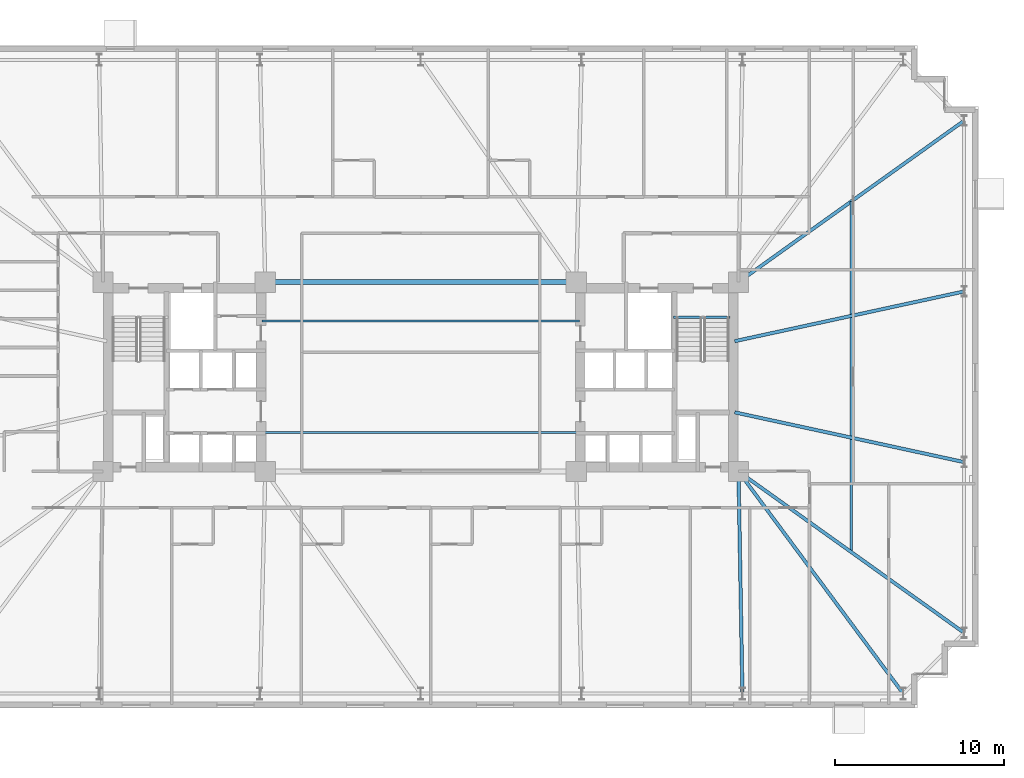
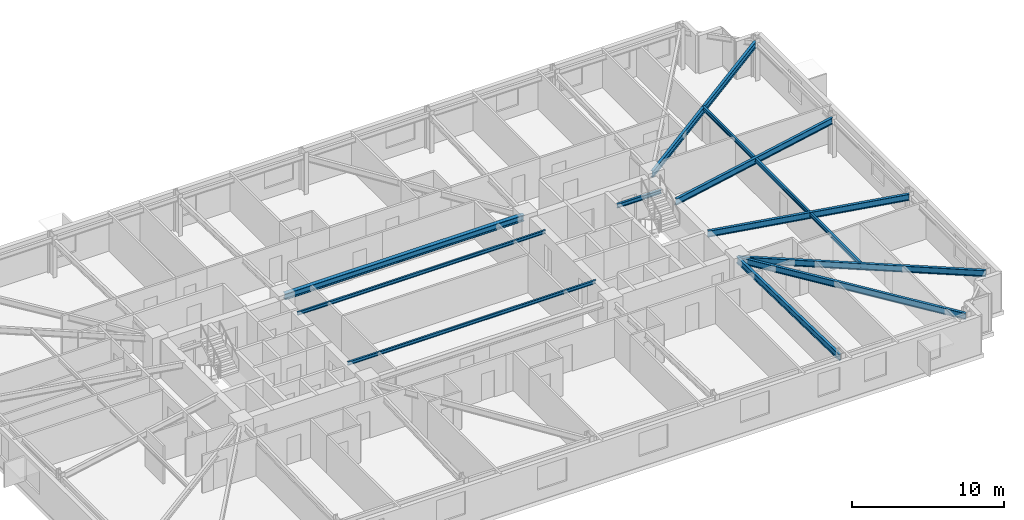
# One storey, part 7 of 21: 11 beams.
"""IFC4 building model written with IfcOpenShell, lengths in metres."""

import ifcopenshell
import ifcopenshell.guid

model = None  # the IFC model being written
_history = None  # IfcOwnerHistory: only IFC2X3 demands one
_inside = {}  # id of a spatial element -> (the spatial element, [elements in it])
_under = {}  # id of a project, library or spatial element -> (it, [spatial elements below it])
_declared = {}  # id of a project -> (the project, [libraries it declares])
_typed = {}  # id of a type object -> (the type object, [elements of that type])
_made_of = {}  # id of a material, layer set ... -> (it, [elements and type objects made of it])


def new_model(schema):
    """Start an empty IFC model of exactly this schema.

    Asked for "IFC4X3", IfcOpenShell would pick the latest addendum, in which some entities
    have other attributes; the version numbers below select the first issue.
    IFC2X3 requires an IfcOwnerHistory on every rooted entity: one is made here for all.
    """
    global model, _history
    if schema == "IFC4X3":
        model = ifcopenshell.file(schema_version=(4, 3, 0, 0))
    else:
        model = ifcopenshell.file(schema=schema)
    _inside.clear()
    _under.clear()
    _declared.clear()
    _typed.clear()
    _made_of.clear()
    _history = None
    if model.schema == "IFC2X3":
        org = make("IfcOrganization", Name="unknown")
        user = make(
            "IfcPersonAndOrganization",
            ThePerson=make("IfcPerson", FamilyName="unknown"),
            TheOrganization=org,
        )
        app = make(
            "IfcApplication",
            ApplicationDeveloper=org,
            Version="unknown",
            ApplicationFullName="unknown",
            ApplicationIdentifier="unknown",
        )
        _history = make(
            "IfcOwnerHistory",
            OwningUser=user,
            OwningApplication=app,
            ChangeAction="ADDED",
            CreationDate=0,
        )
    return model


def make(cls, **values):
    """One entity of the class cls with the attributes given. An attribute that is None is left unset."""
    return model.create_entity(
        cls, **{name: value for name, value in values.items() if value is not None}
    )


def rooted(cls, **values):
    """An entity with a GlobalId (a new one), such as an element, a storey or a relation."""
    return make(cls, GlobalId=ifcopenshell.guid.new(), OwnerHistory=_history, **values)


def si_unit(unit_type, name, prefix=None):
    """IfcSIUnit, for example si_unit("LENGTHUNIT", "METRE", prefix="MILLI")."""
    return make("IfcSIUnit", UnitType=unit_type, Prefix=prefix, Name=name)


def assignment(units):
    """IfcUnitAssignment: the units of a project."""
    return None if units is None else make("IfcUnitAssignment", Units=units)


def point(xyz):
    """IfcCartesianPoint."""
    return None if xyz is None else make("IfcCartesianPoint", Coordinates=xyz)


def direction(xyz):
    """IfcDirection."""
    return None if xyz is None else make("IfcDirection", DirectionRatios=xyz)


def frame(location, z_axis=None, x_axis=None):
    """IfcAxis2Placement3D, a coordinate frame: its origin and axes. An axis left out is left unset."""
    return make(
        "IfcAxis2Placement3D",
        Location=point(location),
        Axis=direction(z_axis),
        RefDirection=direction(x_axis),
    )


def frame_2d(location, x_axis=None):
    """IfcAxis2Placement2D, a coordinate frame in the plane: its origin and x axis."""
    return make(
        "IfcAxis2Placement2D", Location=point(location), RefDirection=direction(x_axis)
    )


def origin():
    """The frame at (0, 0, 0) with its axes left unset."""
    return frame((0.0, 0.0, 0.0))


def origin_2d():
    """The frame at (0, 0) in the plane with its x axis left unset."""
    return frame_2d((0.0, 0.0))


def place(relative_to, where):
    """IfcLocalPlacement: puts the frame where relative to a parent placement (None: the world)."""
    return make(
        "IfcLocalPlacement", PlacementRelTo=relative_to, RelativePlacement=where
    )


def context(
    kind, dimensions, precision=None, world=None, true_north=None, identifier=None
):
    """IfcGeometricRepresentationContext, for example the 3D "Model" context."""
    return make(
        "IfcGeometricRepresentationContext",
        ContextIdentifier=identifier,
        ContextType=kind,
        CoordinateSpaceDimension=dimensions,
        Precision=precision,
        WorldCoordinateSystem=world,
        TrueNorth=true_north,
    )


def subcontext(parent, identifier, kind, view, scale=None):
    """IfcGeometricRepresentationSubContext, for example "Body" below "Model"."""
    return make(
        "IfcGeometricRepresentationSubContext",
        ContextIdentifier=identifier,
        ContextType=kind,
        ParentContext=parent,
        TargetScale=scale,
        TargetView=view,
    )


def project(units=None, contexts=None):
    """IfcProject with its units and contexts."""
    return rooted(
        "IfcProject",
        Name="project",
        RepresentationContexts=contexts,
        UnitsInContext=assignment(units),
    )


def spatial(cls, under=None, at=None, **own):
    """A site, building, storey or space (cls), placed at a placement, below another one or the project."""
    s = rooted(cls, ObjectPlacement=at, **own)
    if under is not None:
        _under.setdefault(under.id(), (under, []))[1].append(s)
    return s


def profile(cls, at=None, kind="AREA", **sizes):
    """A parametric profile (cls). Its sizes go by their IFC names, for example OverallWidth=200.0."""
    return make(cls, ProfileType=kind, Position=at, **sizes)


def i_section(**sizes):
    """IfcIShapeProfileDef."""
    return profile("IfcIShapeProfileDef", **sizes)


def extrude(swept, where, along, depth):
    """IfcExtrudedAreaSolid: the profile swept, set in the frame where, extruded along a direction by depth."""
    return make(
        "IfcExtrudedAreaSolid",
        SweptArea=swept,
        Position=where,
        ExtrudedDirection=direction(along),
        Depth=depth,
    )


def shape(context_of_items, identifier, shape_type, items):
    """IfcShapeRepresentation: the items that make up one representation, for example the "Body"."""
    return make(
        "IfcShapeRepresentation",
        ContextOfItems=context_of_items,
        RepresentationIdentifier=identifier,
        RepresentationType=shape_type,
        Items=items,
    )


def material(Name=None, Category=None):
    """IfcMaterial."""
    return make("IfcMaterial", Name=Name, Category=Category)


def material_profile(
    of_material, cross_section, Name=None, Category=None, Priority=None
):
    """IfcMaterialProfile: a cross section and its material."""
    return make(
        "IfcMaterialProfile",
        Name=Name,
        Material=of_material,
        Profile=cross_section,
        Priority=Priority,
        Category=Category,
    )


def profile_set(profiles, Name=None, composite=None):
    """IfcMaterialProfileSet."""
    return make(
        "IfcMaterialProfileSet",
        Name=Name,
        MaterialProfiles=profiles,
        CompositeProfile=composite,
    )


def made_of(thing, what):
    """Note that an element or type object is made of a material, layer set ...; save() writes the relation."""
    if what is not None:
        _made_of.setdefault(what.id(), (what, []))[1].append(thing)
    return thing


def type_object(cls, material=None, **own):
    """A type object (cls), such as IfcWallType, which elements share."""
    return made_of(rooted(cls, **own), material)


def element(
    cls,
    number,
    at=None,
    inside=None,
    cuts=None,
    type_object=None,
    material=None,
    context=None,
    identifier="Body",
    shape_type=None,
    held_by="IfcProductDefinitionShape",
    body=None,
    shapes=None,
    **own,
):
    """One element of the class cls, such as IfcWall. Its Tag is "e" and its number.

    at: its placement. inside: the storey or other place that contains it. cuts: it is an
    opening in that element (IfcRelVoidsElement). A single representation is given by context,
    identifier, shape_type and body (its items); several are given by shapes. held_by: the class
    of the entity that holds the representations. save() writes the other relations.
    """
    e = rooted(cls, Tag="e%d" % number, ObjectPlacement=at, **own)
    if body is not None:
        shapes = [shape(context, identifier, shape_type, body)]
    if shapes is not None:
        e.Representation = make(held_by, Representations=shapes)
    if inside is not None:
        _inside.setdefault(inside.id(), (inside, []))[1].append(e)
    if cuts is not None:
        rooted(
            "IfcRelVoidsElement", RelatingBuildingElement=cuts, RelatedOpeningElement=e
        )
    if type_object is not None:
        _typed.setdefault(type_object.id(), (type_object, []))[1].append(e)
    return made_of(e, material)


def aggregate(whole, parts):
    """IfcRelAggregates: a whole, such as a stair, and the parts it consists of."""
    return rooted("IfcRelAggregates", RelatingObject=whole, RelatedObjects=parts)


def save(model, path):
    """Write the relations noted so far, then the file.

    IfcRelAggregates (storeys below a building ...), IfcRelContainedInSpatialStructure (elements
    in a storey), IfcRelDefinesByType, IfcRelAssociatesMaterial and IfcRelDeclares: one each for
    every whole, place, type object, material and project.
    """
    for whole, parts in _under.values():
        aggregate(whole, parts)
    for where, things in _inside.values():
        rooted(
            "IfcRelContainedInSpatialStructure",
            RelatedElements=things,
            RelatingStructure=where,
        )
    for kind, things in _typed.values():
        rooted("IfcRelDefinesByType", RelatedObjects=things, RelatingType=kind)
    for what, things in _made_of.values():
        rooted("IfcRelAssociatesMaterial", RelatedObjects=things, RelatingMaterial=what)
    for by, libraries in _declared.values():
        rooted("IfcRelDeclares", RelatingContext=by, RelatedDefinitions=libraries)
    model.write(path)


model = new_model("IFC4")

# Units and contexts
model_context = context("Model", 3, precision=1e-05, world=origin(), true_north=direction((0.0, 1.0)))
body_context = subcontext(model_context, "Body", "Model", "MODEL_VIEW")
ifc_project = project(units=[si_unit("LENGTHUNIT", "METRE"), si_unit("AREAUNIT", "SQUARE_METRE"), si_unit("VOLUMEUNIT", "CUBIC_METRE"), si_unit("PLANEANGLEUNIT", "RADIAN"), si_unit("MASSUNIT", "GRAM", prefix="KILO")], contexts=[model_context])

# Site, building, storey
site_placement = place(None, origin())
site = spatial("IfcSite", under=ifc_project, at=site_placement, CompositionType="ELEMENT")
building_placement = place(site_placement, origin())
building = spatial("IfcBuilding", under=site, at=building_placement, Name="Qobustan Lattice House", CompositionType="ELEMENT")
storey_placement = place(building_placement, frame((0.0, 0.0, 40.39990234375)))
storey = spatial("IfcBuildingStorey", under=building, at=storey_placement, Name="L10", CompositionType="ELEMENT", Elevation=40.39990234375)

# Beams
ifc_material_1 = material(Name="Steel S355", Category="steel")
ifc_material_profile_1 = material_profile(ifc_material_1, i_section(OverallWidth=0.300048828125, OverallDepth=0.5, WebThickness=0.014404296875, FlangeThickness=0.028076171875, FilletRadius=0.027099609375, at=origin_2d()), Name="HEB500")
ifc_profile_set_1 = profile_set([ifc_material_profile_1], Name="Steel S355")
beam_type_1 = type_object("IfcBeamType", Name="BM-CG-HEB500", PredefinedType="USERDEFINED", material=ifc_profile_set_1)
beam_1_placement = place(storey_placement, frame((-9.050048828125, 5.60009765625, 2.78515625), z_axis=(1.0, 0.0, 0.0), x_axis=(0.0, 1.0, 0.0)))
element("IfcBeam", 1, at=beam_1_placement, inside=storey, type_object=beam_type_1, Name="L10 core spine girder CG-CN", ObjectType="GIRDER", PredefinedType="USERDEFINED", context=body_context, shape_type="SweptSolid", body=[
    extrude(i_section(OverallWidth=0.300048828125, OverallDepth=0.5, WebThickness=0.014404296875, FlangeThickness=0.028076171875, FilletRadius=0.027099609375, at=origin_2d()), origin(), (0.0, 0.0, 1.0), 18.10009765625),
])
ifc_material_2 = material(Name="Steel S355", Category="steel")
ifc_material_profile_2 = material_profile(ifc_material_2, i_section(OverallWidth=0.199951171875, OverallDepth=0.5, WebThickness=0.01025390625, FlangeThickness=0.01611328125, FilletRadius=0.02099609375, at=origin_2d()), Name="IPE500")
ifc_profile_set_2 = profile_set([ifc_material_profile_2], Name="Steel S355")
beam_type_2 = type_object("IfcBeamType", Name="BM-FLG-IPE500", PredefinedType="USERDEFINED", material=ifc_profile_set_2)
beam_2_placement = place(storey_placement, frame((19.032958984375, -18.72509765625, 2.78515625), z_axis=(-0.017757831607, 0.999842317276, 0.0), x_axis=(-0.999842317276, -0.017757831607, 0.0)))
element("IfcBeam", 2, at=beam_2_placement, inside=storey, type_object=beam_type_2, Name="L10 primary floor girder RAD-S6", ObjectType="GIRDER", PredefinedType="USERDEFINED", context=body_context, shape_type="SweptSolid", body=[
    extrude(i_section(OverallWidth=0.199951171875, OverallDepth=0.5, WebThickness=0.01025390625, FlangeThickness=0.01611328125, FilletRadius=0.02099609375, at=origin_2d()), origin(), (0.0, 0.0, 1.0), 13.10205078125),
])
beam_3_placement = place(storey_placement, frame((28.53515625, -18.72998046875, 2.78515625), z_axis=(-0.5955916815, 0.803287338956, 0.0), x_axis=(-0.803287338956, -0.5955916815, 0.0)))
element("IfcBeam", 3, at=beam_3_placement, inside=storey, type_object=beam_type_2, Name="L10 primary floor girder RAD-S7E", ObjectType="GIRDER", PredefinedType="USERDEFINED", context=body_context, shape_type="SweptSolid", body=[
    extrude(i_section(OverallWidth=0.199951171875, OverallDepth=0.5, WebThickness=0.01025390625, FlangeThickness=0.01611328125, FilletRadius=0.02099609375, at=origin_2d()), origin(), (0.0, 0.0, 1.0), 16.3203125),
])
beam_4_placement = place(storey_placement, frame((32.129638671875, 15.135498046875, 2.78515625), z_axis=(-0.813318954893, -0.581818079481, 0.0), x_axis=(0.581818079481, -0.813318954893, 0.0)))
element("IfcBeam", 4, at=beam_4_placement, inside=storey, type_object=beam_type_2, Name="L10 primary floor girder RAD-E4", ObjectType="GIRDER", PredefinedType="USERDEFINED", context=body_context, shape_type="SweptSolid", body=[
    extrude(i_section(OverallWidth=0.199951171875, OverallDepth=0.5, WebThickness=0.01025390625, FlangeThickness=0.01611328125, FilletRadius=0.02099609375, at=origin_2d()), origin(), (0.0, 0.0, 1.0), 16.3642578125),
])
for number, where, z_axis, x_axis, name in (
    (5, (32.12548828125, 5.044677734375, 2.78515625), (-0.97727240275, -0.211987383643, 0.0), (0.211987383643, -0.97727240275, 0.0), "L10 primary floor girder RAD-E3"),
    (6, (32.12548828125, -5.044677734375, 2.78515625), (-0.97727240275, 0.211987383643, 0.0), (-0.211987383643, -0.97727240275, 0.0), "L10 primary floor girder RAD-E2"),
):
    element("IfcBeam", number, at=place(storey_placement, frame(where, z_axis=z_axis, x_axis=x_axis)), inside=storey, type_object=beam_type_2, Name=name, ObjectType="GIRDER", PredefinedType="USERDEFINED", context=body_context, shape_type="SweptSolid", body=[
        extrude(i_section(OverallWidth=0.199951171875, OverallDepth=0.5, WebThickness=0.01025390625, FlangeThickness=0.01611328125, FilletRadius=0.02099609375, at=origin_2d()), origin(), (0.0, 0.0, 1.0), 13.8662109375),
    ])
beam_5_placement = place(storey_placement, frame((32.129638671875, -15.135498046875, 2.78515625), z_axis=(-0.813318954893, 0.581818079481, 0.0), x_axis=(-0.581818079481, -0.813318954893, 0.0)))
element("IfcBeam", 7, at=beam_5_placement, inside=storey, type_object=beam_type_2, Name="L10 primary floor girder RAD-E1", ObjectType="GIRDER", PredefinedType="USERDEFINED", context=body_context, shape_type="SweptSolid", body=[
    extrude(i_section(OverallWidth=0.199951171875, OverallDepth=0.5, WebThickness=0.01025390625, FlangeThickness=0.01611328125, FilletRadius=0.02099609375, at=origin_2d()), origin(), (0.0, 0.0, 1.0), 16.3642578125),
])
ifc_material_3 = material(Name="Steel S355", Category="steel")
ifc_material_profile_3 = material_profile(ifc_material_3, i_section(OverallWidth=0.135009765625, OverallDepth=0.27001953125, WebThickness=0.006591796875, FlangeThickness=0.01025390625, FilletRadius=0.014892578125, at=origin_2d()), Name="IPE270")
ifc_profile_set_3 = profile_set([ifc_material_profile_3], Name="Steel S355")
beam_type_3 = type_object("IfcBeamType", Name="BM-JST-IPE270", PredefinedType="JOIST", material=ifc_profile_set_3)
for number, where, z_axis, x_axis, name in (
    (8, (-9.39990234375, -3.300048828125, 2.900146484375), (1.0, 0.0, 0.0), (0.0, 1.0, 0.0), "L10 central span floor joist 1"),
    (9, (-9.39990234375, 3.300048828125, 2.900146484375), (1.0, 0.0, 0.0), (0.0, 1.0, 0.0), "L10 central span floor joist 2"),
):
    element("IfcBeam", number, at=place(storey_placement, frame(where, z_axis=z_axis, x_axis=x_axis)), inside=storey, type_object=beam_type_3, Name=name, PredefinedType="JOIST", context=body_context, shape_type="SweptSolid", body=[
        extrude(i_section(OverallWidth=0.135009765625, OverallDepth=0.27001953125, WebThickness=0.006591796875, FlangeThickness=0.01025390625, FilletRadius=0.014892578125, at=origin_2d()), origin(), (0.0, 0.0, 1.0), 18.7998046875),
    ])
ifc_material_4 = material(Name="Steel S355", Category="steel")
ifc_material_profile_4 = material_profile(ifc_material_4, i_section(OverallWidth=0.159912109375, OverallDepth=0.330078125, WebThickness=0.007568359375, FlangeThickness=0.011474609375, FilletRadius=0.01806640625, at=origin_2d()), Name="IPE330")
ifc_profile_set_4 = profile_set([ifc_material_profile_4], Name="Steel S355")
beam_type_4 = type_object("IfcBeamType", Name="BM-SEC-IPE330", PredefinedType="BEAM", material=ifc_profile_set_4)
beam_6_placement = place(storey_placement, frame((25.47509765625, 10.375, 2.8701171875), z_axis=(0.0, -1.0, 0.0), x_axis=(1.0, 0.0, 0.0)))
element("IfcBeam", 10, at=beam_6_placement, inside=storey, type_object=beam_type_4, Name="L10 east wing secondary beam", PredefinedType="BEAM", context=body_context, shape_type="SweptSolid", body=[
    extrude(i_section(OverallWidth=0.159912109375, OverallDepth=0.330078125, WebThickness=0.007568359375, FlangeThickness=0.011474609375, FilletRadius=0.01806640625, at=origin_2d()), origin(), (0.0, 0.0, 1.0), 20.75),
])
ifc_material_5 = material(Name="Steel S355", Category="steel")
ifc_material_profile_5 = material_profile(ifc_material_5, i_section(OverallWidth=0.159912109375, OverallDepth=0.330078125, WebThickness=0.007568359375, FlangeThickness=0.011474609375, FilletRadius=0.01806640625, at=origin_2d()), Name="IPE330")
ifc_profile_set_5 = profile_set([ifc_material_profile_5], Name="Steel S355")
beam_type_5 = type_object("IfcBeamType", Name="BM-SPD-IPE330", PredefinedType="SPANDREL", material=ifc_profile_set_5)
beam_7_placement = place(storey_placement, frame((14.949951171875, 3.52001953125, 2.8701171875), z_axis=(1.0, 0.0, 0.0), x_axis=(0.0, 1.0, 0.0)))
element("IfcBeam", 11, at=beam_7_placement, inside=storey, type_object=beam_type_5, Name="L10 east stair landing trimmer beam", PredefinedType="SPANDREL", context=body_context, shape_type="SweptSolid", body=[
    extrude(i_section(OverallWidth=0.159912109375, OverallDepth=0.330078125, WebThickness=0.007568359375, FlangeThickness=0.011474609375, FilletRadius=0.01806640625, at=origin_2d()), origin(), (0.0, 0.0, 1.0), 3.35009765625),
])

save(model, "model.ifc")
